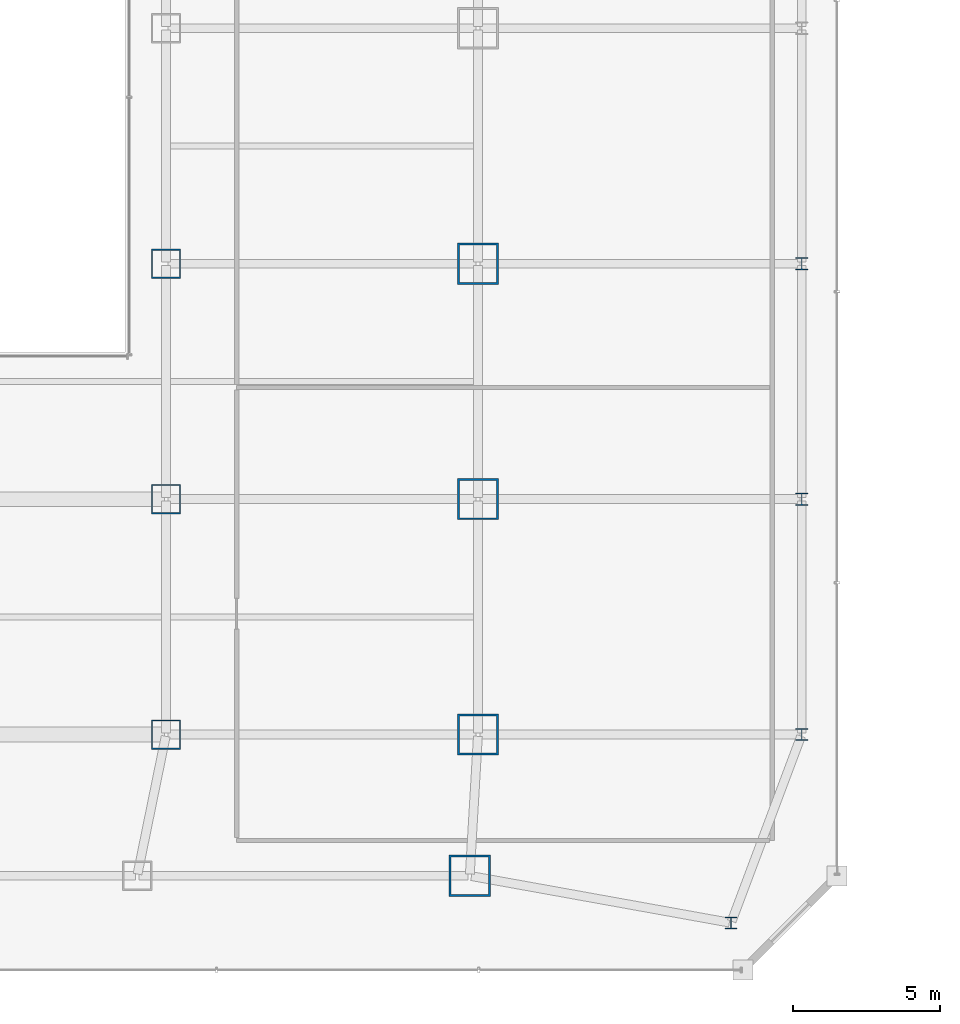
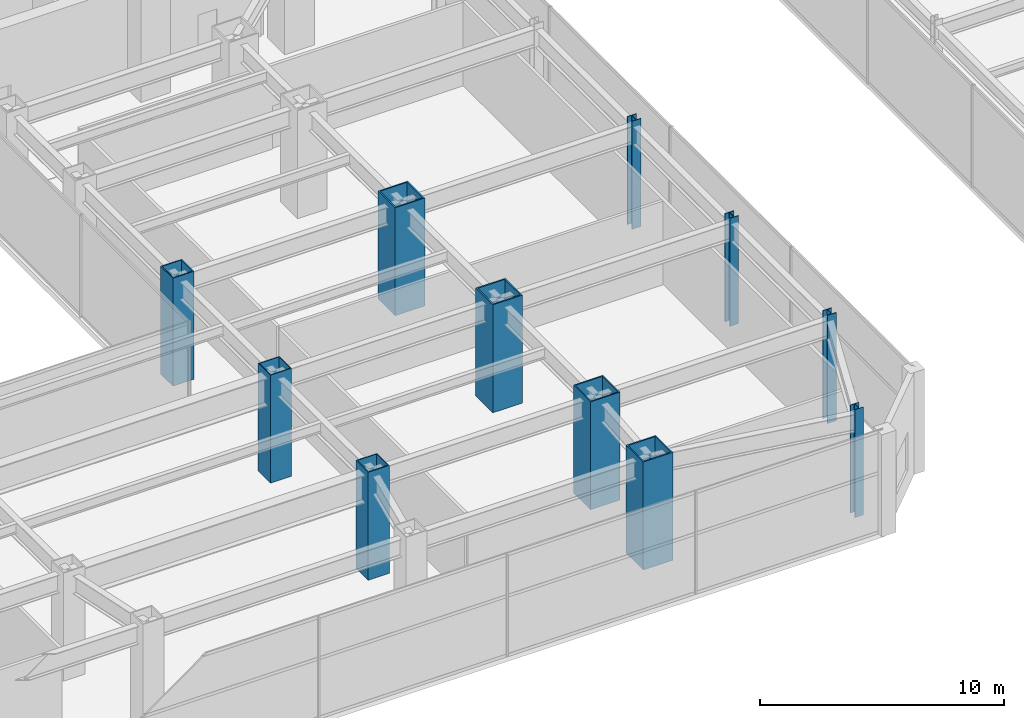
# One storey, part 2 of 52: 11 columns.
"""IFC4 building model written with IfcOpenShell, lengths in metres."""

from ifc_helpers import new_model, si_unit, direction, frame, origin, origin_2d, place, context, subcontext, project, spatial, hollow_rectangle, i_section, extrude, material, material_profile, profile_set, type_object, element, save


model = new_model("IFC4")

# Units and contexts
model_context = context("Model", 3, precision=1e-05, world=origin(), true_north=direction((0.0, 1.0)))
body_context = subcontext(model_context, "Body", "Model", "MODEL_VIEW")
ifc_project = project(units=[si_unit("LENGTHUNIT", "METRE"), si_unit("AREAUNIT", "SQUARE_METRE"), si_unit("VOLUMEUNIT", "CUBIC_METRE"), si_unit("PLANEANGLEUNIT", "RADIAN"), si_unit("MASSUNIT", "GRAM", prefix="KILO")], contexts=[model_context])

# Site, building, storey
site_placement = place(None, origin())
site = spatial("IfcSite", under=ifc_project, at=site_placement, CompositionType="ELEMENT")
building_placement = place(site_placement, origin())
building = spatial("IfcBuilding", under=site, at=building_placement, Name="Saevonmaru Cultural Tower", CompositionType="ELEMENT")
storey_placement = place(building_placement, frame((0.0, 0.0, 11.39990234375)))
storey = spatial("IfcBuildingStorey", under=building, at=storey_placement, Name="L02", CompositionType="ELEMENT", Elevation=11.39990234375)

# Columns
ifc_material_1 = material(Name="Steel SM420", Category="steel")
ifc_material_profile_1 = material_profile(ifc_material_1, hollow_rectangle(XDim=1.0, YDim=1.0, WallThickness=0.044921875, at=origin_2d()), Name="BOX-1000x1000x45")
ifc_profile_set_1 = profile_set([ifc_material_profile_1], Name="Steel SM420")
column_type_1 = type_object("IfcColumnType", Name="COL-BOX-1000", PredefinedType="COLUMN", material=ifc_profile_set_1)
for number, where, z_axis, x_axis, name in (
    (1, (37.199951171875, 8.0, 0.0), (0.0, 0.0, 1.0), (1.0, 0.0, 0.0), "L02 Column PC-E2-B"),
    (2, (37.199951171875, 16.0, 0.0), (0.0, 0.0, 1.0), (1.0, 0.0, 0.0), "L02 Column PC-E2-C"),
    (3, (37.199951171875, 24.0, 0.0), (0.0, 0.0, 1.0), (1.0, 0.0, 0.0), "L02 Column PC-E2-D"),
):
    element("IfcColumn", number, at=place(storey_placement, frame(where, z_axis=z_axis, x_axis=x_axis)), inside=storey, type_object=column_type_1, Name=name, PredefinedType="COLUMN", context=body_context, shape_type="SweptSolid", body=[
        extrude(hollow_rectangle(XDim=1.0, YDim=1.0, WallThickness=0.044921875, at=origin_2d()), origin(), (0.0, 0.0, 1.0), 5.400146484375),
    ])
ifc_material_2 = material(Name="Steel HSA600 (600 MPa)", Category="steel")
ifc_material_profile_2 = material_profile(ifc_material_2, hollow_rectangle(XDim=1.39990234375, YDim=1.39990234375, WallThickness=0.06494140625, at=origin_2d()), Name="BOX-1400x1400x65")
ifc_profile_set_2 = profile_set([ifc_material_profile_2], Name="Steel HSA600 (600 MPa)")
column_type_2 = type_object("IfcColumnType", Name="COL-BOX-1400", PredefinedType="COLUMN", material=ifc_profile_set_2)
for number, where, z_axis, x_axis, name in (
    (4, (47.52001953125, 3.199951171875, 0.0), (0.0, 0.0, 1.0), (1.0, 0.0, 0.0), "L02 Column PC-E1-A"),
    (5, (47.800048828125, 8.0, 0.0), (0.0, 0.0, 1.0), (1.0, 0.0, 0.0), "L02 Column PC-E1-B"),
    (6, (47.800048828125, 16.0, 0.0), (0.0, 0.0, 1.0), (1.0, 0.0, 0.0), "L02 Column PC-E1-C"),
    (7, (47.800048828125, 24.0, 0.0), (0.0, 0.0, 1.0), (1.0, 0.0, 0.0), "L02 Column PC-E1-D"),
):
    element("IfcColumn", number, at=place(storey_placement, frame(where, z_axis=z_axis, x_axis=x_axis)), inside=storey, type_object=column_type_2, Name=name, PredefinedType="COLUMN", context=body_context, shape_type="SweptSolid", body=[
        extrude(hollow_rectangle(XDim=1.39990234375, YDim=1.39990234375, WallThickness=0.06494140625, at=origin_2d()), origin(), (0.0, 0.0, 1.0), 5.400146484375),
    ])
ifc_material_3 = material(Name="Steel SM355", Category="steel")
ifc_material_profile_3 = material_profile(ifc_material_3, i_section(OverallWidth=0.39990234375, OverallDepth=0.39990234375, WebThickness=0.012939453125, FlangeThickness=0.02099609375, FilletRadius=0.02197265625, at=origin_2d()), Name="H-400x400x13x21")
ifc_profile_set_3 = profile_set([ifc_material_profile_3], Name="Steel SM355")
column_type_3 = type_object("IfcColumnType", Name="COL-H-400", PredefinedType="COLUMN", material=ifc_profile_set_3)
column_placement = place(storey_placement, frame((56.39990234375, 1.60009765625, 0.0), z_axis=(0.0, 0.0, 1.0), x_axis=(1.0, 0.0, 0.0)))
element("IfcColumn", 8, at=column_placement, inside=storey, type_object=column_type_3, Name="L02 Column PC-PS-SE", PredefinedType="COLUMN", context=body_context, shape_type="SweptSolid", body=[
    extrude(i_section(OverallWidth=0.39990234375, OverallDepth=0.39990234375, WebThickness=0.012939453125, FlangeThickness=0.02099609375, FilletRadius=0.02197265625, at=origin_2d()), origin(), (0.0, 0.0, 1.0), 5.400146484375),
])
ifc_material_profile_4 = material_profile(ifc_material_1, i_section(OverallWidth=0.419921875, OverallDepth=0.419921875, WebThickness=0.02001953125, FlangeThickness=0.034912109375, FilletRadius=0.02197265625, at=origin_2d()), Name="H-428x407x20x35")
ifc_profile_set_4 = profile_set([ifc_material_profile_4], Name="Steel SM420")
column_type_4 = type_object("IfcColumnType", Name="COL-H-428", PredefinedType="COLUMN", material=ifc_profile_set_4)
for number, where, z_axis, x_axis, name in (
    (9, (58.800048828125, 8.0, 0.0), (0.0, 0.0, 1.0), (1.0, 0.0, 0.0), "L02 Column PC-PE-B"),
    (10, (58.800048828125, 16.0, 0.0), (0.0, 0.0, 1.0), (1.0, 0.0, 0.0), "L02 Column PC-PE-C"),
    (11, (58.800048828125, 24.0, 0.0), (0.0, 0.0, 1.0), (1.0, 0.0, 0.0), "L02 Column PC-PE-D"),
):
    element("IfcColumn", number, at=place(storey_placement, frame(where, z_axis=z_axis, x_axis=x_axis)), inside=storey, type_object=column_type_4, Name=name, PredefinedType="COLUMN", context=body_context, shape_type="SweptSolid", body=[
        extrude(i_section(OverallWidth=0.419921875, OverallDepth=0.419921875, WebThickness=0.02001953125, FlangeThickness=0.034912109375, FilletRadius=0.02197265625, at=origin_2d()), origin(), (0.0, 0.0, 1.0), 5.400146484375),
    ])

save(model, "model.ifc")
